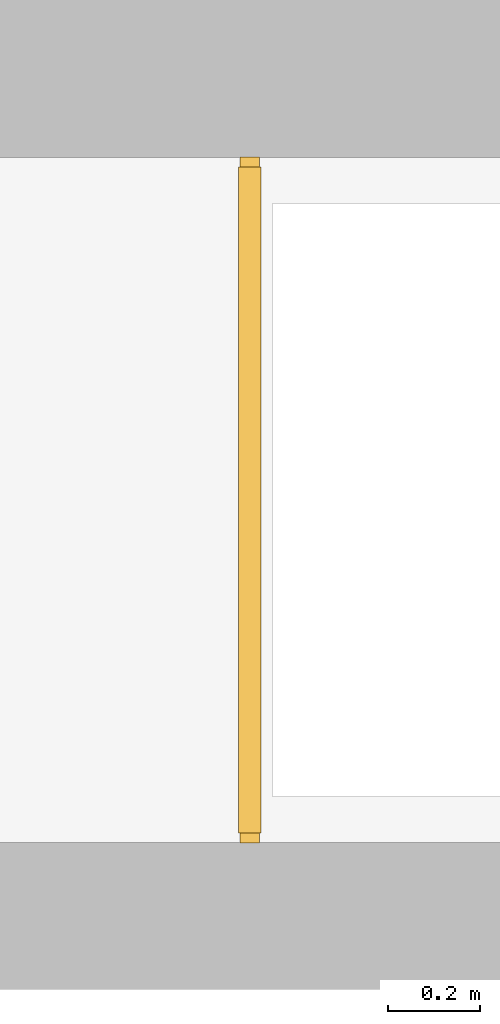
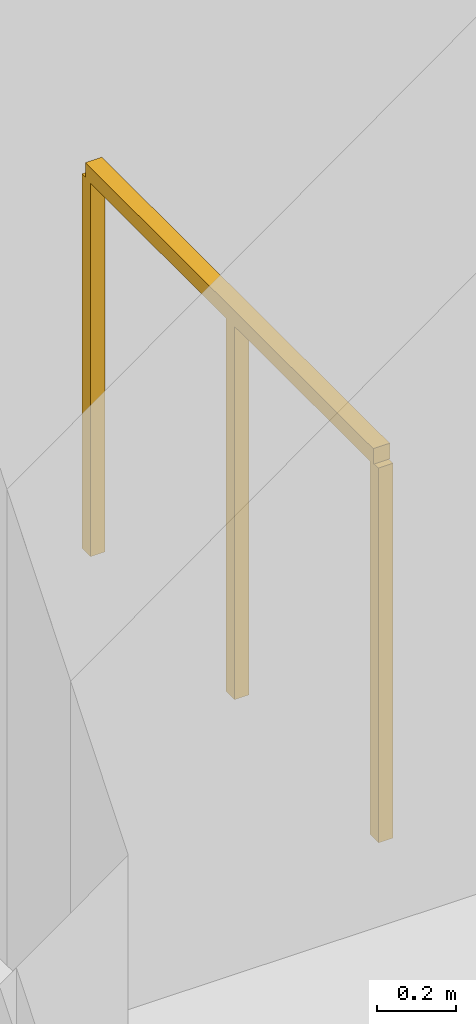
# One storey, part 10 of 10: 1 railing.
"""IFC4 building model written with IfcOpenShell, lengths in metres."""

from ifc_helpers import new_model, si_unit, direction, frame, origin, origin_2d, place, context, subcontext, project, spatial, rectangle, extrude, material, type_object, element, save


model = new_model("IFC4")

# Units and contexts
model_context = context("Model", 3, precision=1e-05, world=origin(), true_north=direction((0.0, 1.0)))
body_context = subcontext(model_context, "Body", "Model", "MODEL_VIEW")
ifc_project = project(units=[si_unit("LENGTHUNIT", "METRE"), si_unit("AREAUNIT", "SQUARE_METRE"), si_unit("VOLUMEUNIT", "CUBIC_METRE"), si_unit("PLANEANGLEUNIT", "RADIAN"), si_unit("MASSUNIT", "GRAM", prefix="KILO")], contexts=[model_context])

# Site, building, storey
site_placement = place(None, origin())
site = spatial("IfcSite", under=ifc_project, at=site_placement, CompositionType="ELEMENT")
building_placement = place(site_placement, origin())
building = spatial("IfcBuilding", under=site, at=building_placement, Name="Talyreon Biosciences Tower", CompositionType="ELEMENT")
storey_placement = place(building_placement, frame((0.0, 0.0, 275.39990234375)))
storey = spatial("IfcBuildingStorey", under=building, at=storey_placement, Name="L73", CompositionType="ELEMENT", Elevation=275.39990234375)

# Railing
ifc_material = material(Name="Painted galvanised steel post-and-rail balustrade", Category="steel")
railing_type = type_object("IfcRailingType", Name="TerraceStairGuard_1200", PredefinedType="GUARDRAIL", material=ifc_material)
railing_placement = place(storey_placement, frame((59.35009765625, 72.8798828125, 0.0)))
element("IfcRailing", 1, at=railing_placement, inside=storey, type_object=railing_type, Name="L73 Exhaust Riser Maintenance Guardrail", PredefinedType="GUARDRAIL", context=body_context, shape_type="SweptSolid", body=[
    extrude(rectangle(XDim=0.048095703125, YDim=0.048095703125, at=origin_2d()), frame((0.0, 0.0, 1.17578125), z_axis=(0.0, 1.0, 0.0), x_axis=(-1.0, 0.0, 0.0)), (0.0, 0.0, 1.0), 1.4501953125),
    extrude(rectangle(XDim=0.0419921875, YDim=0.0419921875, at=origin_2d()), origin(), (0.0, 0.0, 1.0), 1.15185546875),
    extrude(rectangle(XDim=0.0419921875, YDim=0.0419921875, at=origin_2d()), frame((0.0, 0.72509765625, 0.0)), (0.0, 0.0, 1.0), 1.15185546875),
    extrude(rectangle(XDim=0.0419921875, YDim=0.0419921875, at=origin_2d()), frame((0.0, 1.4501953125, 0.0)), (0.0, 0.0, 1.0), 1.15185546875),
])

save(model, "model.ifc")
